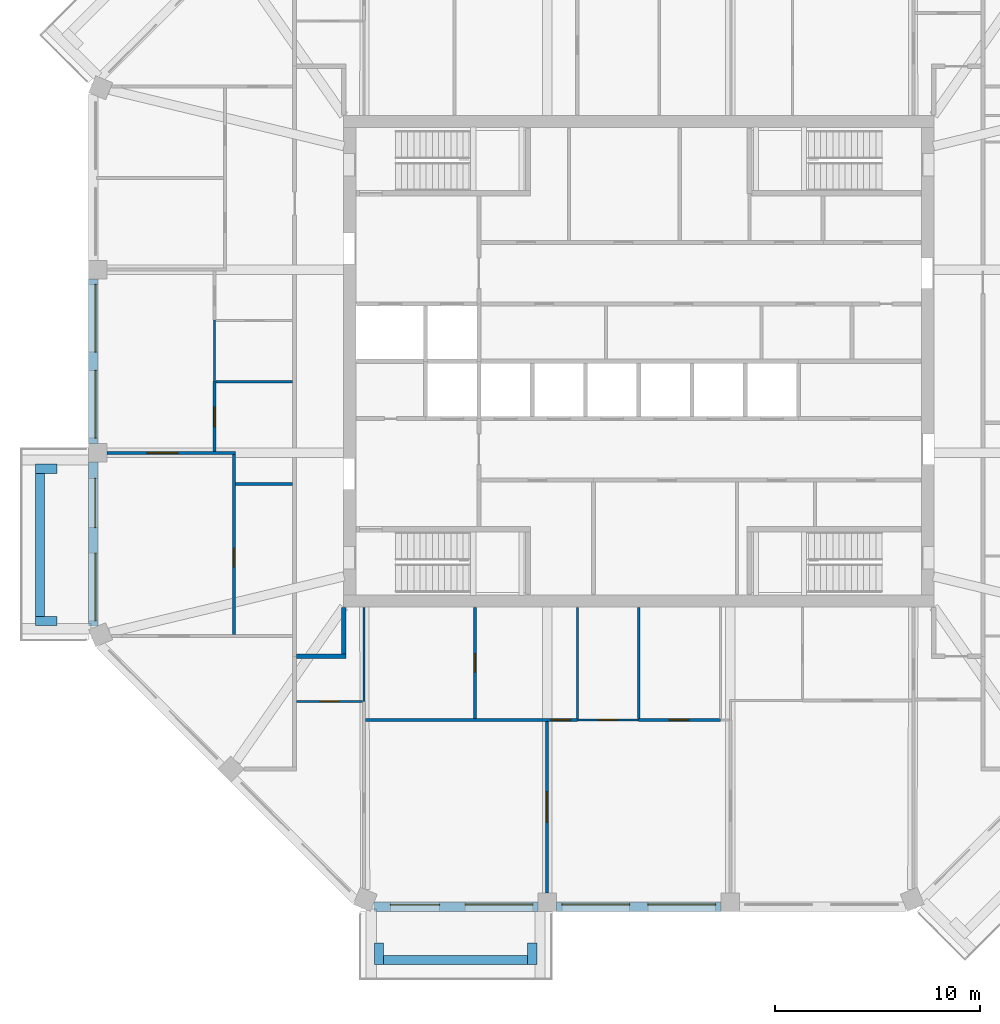
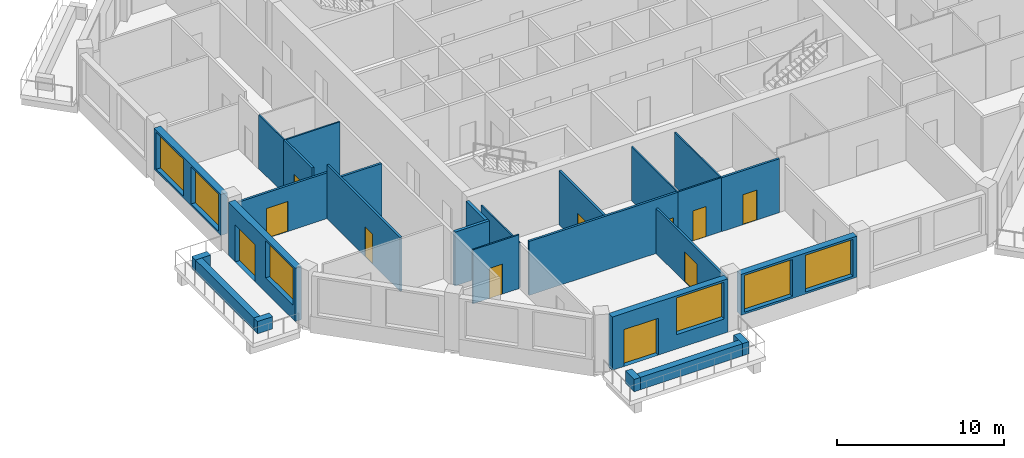
# One storey, part 3 of 11: 27 walls, 11 doors, 6 windows, 17 openings.
"""IFC4 building model written with IfcOpenShell, lengths in metres."""

from ifc_helpers import new_model, si_unit, direction, frame, frame_2d, origin, place, context, subcontext, project, spatial, rectangle, extrude, material, layer, layer_set, type_object, element, fill, save


model = new_model("IFC4")

# Units and contexts
model_context = context("Model", 3, precision=1e-05, world=origin(), true_north=direction((0.0, 1.0)))
body_context = subcontext(model_context, "Body", "Model", "MODEL_VIEW")
ifc_project = project(units=[si_unit("LENGTHUNIT", "METRE"), si_unit("AREAUNIT", "SQUARE_METRE"), si_unit("VOLUMEUNIT", "CUBIC_METRE"), si_unit("PLANEANGLEUNIT", "RADIAN"), si_unit("MASSUNIT", "GRAM", prefix="KILO")], contexts=[model_context])

# Site, building, storey
site_placement = place(None, origin())
site = spatial("IfcSite", under=ifc_project, at=site_placement, CompositionType="ELEMENT")
building_placement = place(site_placement, origin())
building = spatial("IfcBuilding", under=site, at=building_placement, Name="Msitu Wima Residences", CompositionType="ELEMENT")
storey_placement = place(building_placement, frame((0.0, 0.0, 297.89990234375)))
storey = spatial("IfcBuildingStorey", under=building, at=storey_placement, Name="L69", CompositionType="ELEMENT", Elevation=297.89990234375)

# Walls
ifc_material_1 = material(Name="Facing brick")
ifc_layer_1 = layer(ifc_material_1, 0.06494140625, Name="Facing brick")
ifc_material_2 = material(Name="Concrete C40/50", Category="concrete")
ifc_layer_2 = layer(ifc_material_2, 0.156005859375, Name="Concrete C40/50")
ifc_material_3 = material(Name="Waterproofing membrane")
ifc_layer_3 = layer(ifc_material_3, 0.00390625, Name="Waterproofing membrane")
ifc_material_4 = material(Name="Planting soil and planting")
ifc_layer_4 = layer(ifc_material_4, 0.22509765625, Name="Planting soil and planting")
ifc_layer_set_1 = layer_set([ifc_layer_1, ifc_layer_2, ifc_layer_3, ifc_layer_4], Name="Concrete C40/50")
wall_type_1 = type_object("IfcWallType", Name="Balcony planter PLANTER PL450", PredefinedType="USERDEFINED", material=ifc_layer_set_1)
wall_1_placement = place(storey_placement, frame((-29.22509765625, -5.468505859375, 0.0), z_axis=(0.0, 0.0, 1.0), x_axis=(0.0, -1.0, 0.0)))
element("IfcWall", 1, at=wall_1_placement, inside=storey, type_object=wall_type_1, Name="Balcony planter W2 L69", ObjectType="PLANTER", PredefinedType="USERDEFINED", context=body_context, shape_type="SweptSolid", body=[
    extrude(rectangle(XDim=6.9873046875, YDim=0.449951171875, at=frame_2d((3.49365234375, 0.0))), origin(), (0.0, 0.0, 1.0), 0.900146484375),
])
for number, where, z_axis, x_axis, name in (
    (2, (-28.39990234375, -5.24365234375, 0.0), (0.0, 0.0, 1.0), (-1.0, 0.0, 0.0), "Balcony planter W2 L69"),
    (3, (-28.39990234375, -12.680908203125, 0.0), (0.0, 0.0, 1.0), (-1.0, 0.0, 0.0), "Balcony planter W2 L69"),
):
    element("IfcWall", number, at=place(storey_placement, frame(where, z_axis=z_axis, x_axis=x_axis)), inside=storey, type_object=wall_type_1, Name=name, ObjectType="PLANTER", PredefinedType="USERDEFINED", context=body_context, shape_type="SweptSolid", body=[
        extrude(rectangle(XDim=1.050048828125, YDim=0.449951171875, at=frame_2d((0.52490234375, 0.0))), origin(), (0.0, 0.0, 1.0), 0.900146484375),
    ])
wall_2_placement = place(storey_placement, frame((-12.455810546875, -29.22509765625, 0.0), z_axis=(0.0, 0.0, 1.0), x_axis=(1.0, 0.0, 0.0)))
element("IfcWall", 4, at=wall_2_placement, inside=storey, type_object=wall_type_1, Name="Balcony planter S0 L69", ObjectType="PLANTER", PredefinedType="USERDEFINED", context=body_context, shape_type="SweptSolid", body=[
    extrude(rectangle(XDim=7.037109375, YDim=0.449951171875, at=frame_2d((3.5185546875, 0.0))), origin(), (0.0, 0.0, 1.0), 0.900146484375),
])
for number, where, z_axis, x_axis, name in (
    (5, (-12.680908203125, -28.39990234375, 0.0), (0.0, 0.0, 1.0), (0.0, -1.0, 0.0), "Balcony planter S0 L69"),
    (6, (-5.193603515625, -28.39990234375, 0.0), (0.0, 0.0, 1.0), (0.0, -1.0, 0.0), "Balcony planter S0 L69"),
):
    element("IfcWall", number, at=place(storey_placement, frame(where, z_axis=z_axis, x_axis=x_axis)), inside=storey, type_object=wall_type_1, Name=name, ObjectType="PLANTER", PredefinedType="USERDEFINED", context=body_context, shape_type="SweptSolid", body=[
        extrude(rectangle(XDim=1.050048828125, YDim=0.449951171875, at=frame_2d((0.52490234375, 0.0))), origin(), (0.0, 0.0, 1.0), 0.900146484375),
    ])

# Wall, openings, windows
ifc_material_5 = material(Name="Brick (red buff mix)", Category="masonry")
ifc_layer_5 = layer(ifc_material_5, 0.449951171875)
ifc_layer_set_2 = layer_set([ifc_layer_5], Name="Brick (red buff mix)")
wall_type_2 = type_object("IfcWallType", Name="Brick infill wall BW450", PredefinedType="SOLIDWALL", material=ifc_layer_set_2)
wall_3_placement = place(storey_placement, frame((-26.625, 4.0185546875, 0.900146484375), z_axis=(0.0, 0.0, 1.0), x_axis=(0.0, -1.0, 0.0)))
wall_3 = element("IfcWall", 7, at=wall_3_placement, inside=storey, type_object=wall_type_2, Name="Brick infill wall L69 W1", PredefinedType="SOLIDWALL", context=body_context, shape_type="SweptSolid", body=[
    extrude(rectangle(XDim=8.037109375, YDim=0.449951171875, at=frame_2d((4.0185546875, 0.0))), origin(), (0.0, 0.0, 1.0), 3.0),
])
opening_1_placement = place(wall_3_placement, frame((0.2685546875, 0.0, 0.14990234375)))
opening_1 = element("IfcOpeningElement", 8, at=opening_1_placement, cuts=wall_3, Name="Opening W68-70.031", PredefinedType="OPENING", context=body_context, shape_type="SweptSolid", body=[
    extrude(rectangle(XDim=3.300048828125, YDim=2.699951171875, at=frame_2d((1.64990234375, 1.35009765625))), frame((0.0, 0.23486328125, 0.0), z_axis=(0.0, -1.0, 0.0), x_axis=(1.0, 0.0, 0.0)), (0.0, 0.0, 1.0), 0.469970703125),
])
opening_2_placement = place(wall_3_placement, frame((4.46875, 0.0, 0.14990234375)))
opening_2 = element("IfcOpeningElement", 9, at=opening_2_placement, cuts=wall_3, Name="Opening W68-70.032", PredefinedType="OPENING", context=body_context, shape_type="SweptSolid", body=[
    extrude(rectangle(XDim=3.300048828125, YDim=2.699951171875, at=frame_2d((1.64990234375, 1.35009765625))), frame((0.0, 0.23486328125, 0.0), z_axis=(0.0, -1.0, 0.0), x_axis=(1.0, 0.0, 0.0)), (0.0, 0.0, 1.0), 0.469970703125),
])
ifc_material_6 = material(Name="Anodised aluminium, bronze finish, clear low-emissivity double glazing", Category="aluminium")
window_type = type_object("IfcWindowType", Name="Window W3300x2700", PartitioningType="DOUBLE_PANEL_VERTICAL", PredefinedType="WINDOW", material=ifc_material_6)
window_1_placement = place(opening_1_placement, origin())
window_1 = element("IfcWindow", 10, at=window_1_placement, inside=storey, type_object=window_type, Name="Window L69 W1.1", OverallHeight=2.699951171875, OverallWidth=3.300048828125, PartitioningType="SINGLE_PANEL", PredefinedType="WINDOW", context=body_context, shape_type="SweptSolid", body=[
    extrude(rectangle(XDim=3.300048828125, YDim=2.699951171875, at=frame_2d((1.64990234375, 1.35009765625))), frame((0.0, 0.135009765625, 0.0), z_axis=(0.0, -1.0, 0.0), x_axis=(1.0, 0.0, 0.0)), (0.0, 0.0, 1.0), 0.06005859375),
])
fill(opening_1, window_1)
window_2_placement = place(opening_2_placement, origin())
window_2 = element("IfcWindow", 11, at=window_2_placement, inside=storey, type_object=window_type, Name="Window L69 W1.2", OverallHeight=2.699951171875, OverallWidth=3.300048828125, PartitioningType="SINGLE_PANEL", PredefinedType="WINDOW", context=body_context, shape_type="SweptSolid", body=[
    extrude(rectangle(XDim=3.300048828125, YDim=2.699951171875, at=frame_2d((1.64990234375, 1.35009765625))), frame((0.0, 0.135009765625, 0.0), z_axis=(0.0, -1.0, 0.0), x_axis=(1.0, 0.0, 0.0)), (0.0, 0.0, 1.0), 0.06005859375),
])
fill(opening_2, window_2)

# Wall, openings, door, window
wall_4_placement = place(storey_placement, frame((-26.625, -4.918701171875, 0.0), z_axis=(0.0, 0.0, 1.0), x_axis=(0.0, -1.0, 0.0)))
wall_4 = element("IfcWall", 12, at=wall_4_placement, inside=storey, type_object=wall_type_2, Name="Brick infill wall L69 W2", PredefinedType="SOLIDWALL", context=body_context, shape_type="SweptSolid", body=[
    extrude(rectangle(XDim=8.0, YDim=0.449951171875, at=frame_2d((4.0, 0.0))), origin(), (0.0, 0.0, 1.0), 3.900146484375),
])
opening_3_placement = place(wall_4_placement, frame((0.800048828125, 0.0, 0.0)))
opening_3 = element("IfcOpeningElement", 13, at=opening_3_placement, cuts=wall_4, Name="Opening D68-70.007", PredefinedType="OPENING", context=body_context, shape_type="SweptSolid", body=[
    extrude(rectangle(XDim=2.39990234375, YDim=2.699951171875, at=frame_2d((1.199951171875, 1.35009765625))), frame((0.0, 0.23486328125, 0.0), z_axis=(0.0, -1.0, 0.0), x_axis=(1.0, 0.0, 0.0)), (0.0, 0.0, 1.0), 0.469970703125),
])
opening_4_placement = place(wall_4_placement, frame((4.4501953125, 0.0, 1.050048828125)))
opening_4 = element("IfcOpeningElement", 14, at=opening_4_placement, cuts=wall_4, Name="Opening W68-70.033", PredefinedType="OPENING", context=body_context, shape_type="SweptSolid", body=[
    extrude(rectangle(XDim=3.300048828125, YDim=2.699951171875, at=frame_2d((1.64990234375, 1.35009765625))), frame((0.0, 0.23486328125, 0.0), z_axis=(0.0, -1.0, 0.0), x_axis=(1.0, 0.0, 0.0)), (0.0, 0.0, 1.0), 0.469970703125),
])
door_type_1 = type_object("IfcDoorType", Name="Balcony door D2400x2700", OperationType="SLIDING_TO_LEFT", PredefinedType="DOOR", material=ifc_material_6)
door_1_placement = place(opening_3_placement, origin())
door_1 = element("IfcDoor", 15, at=door_1_placement, inside=storey, type_object=door_type_1, Name="Balcony door L69 W2", OperationType="SINGLE_SWING_LEFT", OverallHeight=2.699951171875, OverallWidth=2.39990234375, PredefinedType="DOOR", context=body_context, shape_type="SweptSolid", body=[
    extrude(rectangle(XDim=2.39990234375, YDim=2.699951171875, at=frame_2d((1.199951171875, 1.35009765625))), frame((0.0, 0.1298828125, 0.0), z_axis=(0.0, -1.0, 0.0), x_axis=(1.0, 0.0, 0.0)), (0.0, 0.0, 1.0), 0.050048828125),
])
fill(opening_3, door_1)
window_3_placement = place(opening_4_placement, origin())
window_3 = element("IfcWindow", 16, at=window_3_placement, inside=storey, type_object=window_type, Name="Window L69 W2.2", OverallHeight=2.699951171875, OverallWidth=3.300048828125, PartitioningType="SINGLE_PANEL", PredefinedType="WINDOW", context=body_context, shape_type="SweptSolid", body=[
    extrude(rectangle(XDim=3.300048828125, YDim=2.699951171875, at=frame_2d((1.64990234375, 1.35009765625))), frame((0.0, 0.135009765625, 0.0), z_axis=(0.0, -1.0, 0.0), x_axis=(1.0, 0.0, 0.0)), (0.0, 0.0, 1.0), 0.06005859375),
])
fill(opening_4, window_3)

wall_5_placement = place(storey_placement, frame((-12.918701171875, -26.625, 0.0), z_axis=(0.0, 0.0, 1.0), x_axis=(1.0, 0.0, 0.0)))
wall_5 = element("IfcWall", 17, at=wall_5_placement, inside=storey, type_object=wall_type_2, Name="Brick infill wall L69 S0", PredefinedType="SOLIDWALL", context=body_context, shape_type="SweptSolid", body=[
    extrude(rectangle(XDim=8.0, YDim=0.449951171875, at=frame_2d((4.0, 0.0))), origin(), (0.0, 0.0, 1.0), 3.900146484375),
])
opening_5_placement = place(wall_5_placement, frame((0.800048828125, 0.0, 0.0)))
opening_5 = element("IfcOpeningElement", 18, at=opening_5_placement, cuts=wall_5, Name="Opening D68-70.005", PredefinedType="OPENING", context=body_context, shape_type="SweptSolid", body=[
    extrude(rectangle(XDim=2.39990234375, YDim=2.699951171875, at=frame_2d((1.199951171875, 1.35009765625))), frame((0.0, 0.23486328125, 0.0), z_axis=(0.0, -1.0, 0.0), x_axis=(1.0, 0.0, 0.0)), (0.0, 0.0, 1.0), 0.469970703125),
])
opening_6_placement = place(wall_5_placement, frame((4.4501953125, 0.0, 1.050048828125)))
opening_6 = element("IfcOpeningElement", 19, at=opening_6_placement, cuts=wall_5, Name="Opening W68-70.017", PredefinedType="OPENING", context=body_context, shape_type="SweptSolid", body=[
    extrude(rectangle(XDim=3.300048828125, YDim=2.699951171875, at=frame_2d((1.64990234375, 1.35009765625))), frame((0.0, 0.23486328125, 0.0), z_axis=(0.0, -1.0, 0.0), x_axis=(1.0, 0.0, 0.0)), (0.0, 0.0, 1.0), 0.469970703125),
])
door_2_placement = place(opening_5_placement, origin())
door_2 = element("IfcDoor", 20, at=door_2_placement, inside=storey, type_object=door_type_1, Name="Balcony door L69 S0", OperationType="SINGLE_SWING_LEFT", OverallHeight=2.699951171875, OverallWidth=2.39990234375, PredefinedType="DOOR", context=body_context, shape_type="SweptSolid", body=[
    extrude(rectangle(XDim=2.39990234375, YDim=2.699951171875, at=frame_2d((1.199951171875, 1.35009765625))), frame((0.0, 0.1298828125, 0.0), z_axis=(0.0, -1.0, 0.0), x_axis=(1.0, 0.0, 0.0)), (0.0, 0.0, 1.0), 0.050048828125),
])
fill(opening_5, door_2)
window_4_placement = place(opening_6_placement, origin())
window_4 = element("IfcWindow", 21, at=window_4_placement, inside=storey, type_object=window_type, Name="Window L69 S0.2", OverallHeight=2.699951171875, OverallWidth=3.300048828125, PartitioningType="SINGLE_PANEL", PredefinedType="WINDOW", context=body_context, shape_type="SweptSolid", body=[
    extrude(rectangle(XDim=3.300048828125, YDim=2.699951171875, at=frame_2d((1.64990234375, 1.35009765625))), frame((0.0, 0.135009765625, 0.0), z_axis=(0.0, -1.0, 0.0), x_axis=(1.0, 0.0, 0.0)), (0.0, 0.0, 1.0), 0.06005859375),
])
fill(opening_6, window_4)

# Wall, openings, windows
wall_6_placement = place(storey_placement, frame((-4.0185546875, -26.625, 0.900146484375), z_axis=(0.0, 0.0, 1.0), x_axis=(1.0, 0.0, 0.0)))
wall_6 = element("IfcWall", 22, at=wall_6_placement, inside=storey, type_object=wall_type_2, Name="Brick infill wall L69 S1", PredefinedType="SOLIDWALL", context=body_context, shape_type="SweptSolid", body=[
    extrude(rectangle(XDim=8.037109375, YDim=0.449951171875, at=frame_2d((4.0185546875, 0.0))), origin(), (0.0, 0.0, 1.0), 3.0),
])
opening_7_placement = place(wall_6_placement, frame((0.2685546875, 0.0, 0.14990234375)))
opening_7 = element("IfcOpeningElement", 23, at=opening_7_placement, cuts=wall_6, Name="Opening W68-70.018", PredefinedType="OPENING", context=body_context, shape_type="SweptSolid", body=[
    extrude(rectangle(XDim=3.300048828125, YDim=2.699951171875, at=frame_2d((1.64990234375, 1.35009765625))), frame((0.0, 0.23486328125, 0.0), z_axis=(0.0, -1.0, 0.0), x_axis=(1.0, 0.0, 0.0)), (0.0, 0.0, 1.0), 0.469970703125),
])
opening_8_placement = place(wall_6_placement, frame((4.46875, 0.0, 0.14990234375)))
opening_8 = element("IfcOpeningElement", 24, at=opening_8_placement, cuts=wall_6, Name="Opening W68-70.019", PredefinedType="OPENING", context=body_context, shape_type="SweptSolid", body=[
    extrude(rectangle(XDim=3.300048828125, YDim=2.699951171875, at=frame_2d((1.64990234375, 1.35009765625))), frame((0.0, 0.23486328125, 0.0), z_axis=(0.0, -1.0, 0.0), x_axis=(1.0, 0.0, 0.0)), (0.0, 0.0, 1.0), 0.469970703125),
])
window_5_placement = place(opening_7_placement, origin())
window_5 = element("IfcWindow", 25, at=window_5_placement, inside=storey, type_object=window_type, Name="Window L69 S1.1", OverallHeight=2.699951171875, OverallWidth=3.300048828125, PartitioningType="SINGLE_PANEL", PredefinedType="WINDOW", context=body_context, shape_type="SweptSolid", body=[
    extrude(rectangle(XDim=3.300048828125, YDim=2.699951171875, at=frame_2d((1.64990234375, 1.35009765625))), frame((0.0, 0.135009765625, 0.0), z_axis=(0.0, -1.0, 0.0), x_axis=(1.0, 0.0, 0.0)), (0.0, 0.0, 1.0), 0.06005859375),
])
fill(opening_7, window_5)
window_6_placement = place(opening_8_placement, origin())
window_6 = element("IfcWindow", 26, at=window_6_placement, inside=storey, type_object=window_type, Name="Window L69 S1.2", OverallHeight=2.699951171875, OverallWidth=3.300048828125, PartitioningType="SINGLE_PANEL", PredefinedType="WINDOW", context=body_context, shape_type="SweptSolid", body=[
    extrude(rectangle(XDim=3.300048828125, YDim=2.699951171875, at=frame_2d((1.64990234375, 1.35009765625))), frame((0.0, 0.135009765625, 0.0), z_axis=(0.0, -1.0, 0.0), x_axis=(1.0, 0.0, 0.0)), (0.0, 0.0, 1.0), 0.06005859375),
])
fill(opening_8, window_6)

# Walls
ifc_material_7 = material(Name="Plaster")
ifc_layer_6 = layer(ifc_material_7, 0.011962890625, Name="Plaster")
ifc_material_8 = material(Name="Concrete blockwork", Category="masonry")
ifc_layer_7 = layer(ifc_material_8, 0.176025390625, Name="Concrete blockwork")
ifc_layer_8 = layer(ifc_material_7, 0.011962890625, Name="Plaster")
ifc_layer_set_3 = layer_set([ifc_layer_6, ifc_layer_7, ifc_layer_8], Name="Concrete blockwork")
wall_type_3 = type_object("IfcWallType", Name="Corridor wall FW200", PredefinedType="PARTITIONING", material=ifc_layer_set_3)
wall_7_placement = place(storey_placement, frame((-16.699951171875, -14.39990234375, 0.0), z_axis=(0.0, 0.0, 1.0), x_axis=(1.0, 0.0, 0.0)))
element("IfcWall", 27, at=wall_7_placement, inside=storey, type_object=wall_type_3, Name="Corridor wall", PredefinedType="PARTITIONING", context=body_context, shape_type="SweptSolid", body=[
    extrude(rectangle(XDim=2.39990234375, YDim=0.199951171875, at=frame_2d((1.199951171875, 0.0))), origin(), (0.0, 0.0, 1.0), 3.9501953125),
])
wall_8_placement = place(storey_placement, frame((-14.39990234375, -14.300048828125, 0.0), z_axis=(0.0, 0.0, 1.0), x_axis=(0.0, 1.0, 0.0)))
element("IfcWall", 28, at=wall_8_placement, inside=storey, type_object=wall_type_3, Name="Corridor wall", PredefinedType="PARTITIONING", context=body_context, shape_type="SweptSolid", body=[
    extrude(rectangle(XDim=2.27001953125, YDim=0.199951171875, at=frame_2d((1.135009765625, 0.0))), origin(), (0.0, 0.0, 1.0), 3.9501953125),
])

# Wall, opening, door
ifc_layer_9 = layer(ifc_material_7, 0.011962890625, Name="Plaster")
ifc_layer_10 = layer(ifc_material_8, 0.1259765625, Name="Concrete blockwork")
ifc_layer_11 = layer(ifc_material_7, 0.011962890625, Name="Plaster")
ifc_layer_set_4 = layer_set([ifc_layer_9, ifc_layer_10, ifc_layer_11], Name="Concrete blockwork")
wall_type_4 = type_object("IfcWallType", Name="Partition PW150", PredefinedType="PARTITIONING", material=ifc_layer_set_4)
wall_9_placement = place(storey_placement, frame((-25.949951171875, -4.46875, 0.0), z_axis=(0.0, 0.0, 1.0), x_axis=(1.0, 0.0, 0.0)))
wall_9 = element("IfcWall", 29, at=wall_9_placement, inside=storey, type_object=wall_type_4, Name="Partition", PredefinedType="PARTITIONING", context=body_context, shape_type="SweptSolid", body=[
    extrude(rectangle(XDim=6.27490234375, YDim=0.14990234375, at=frame_2d((3.137451171875, 0.0))), origin(), (0.0, 0.0, 1.0), 3.35009765625),
])
opening_9_placement = place(wall_9_placement, frame((1.949951171875, 0.0, 0.0)))
opening_9 = element("IfcOpeningElement", 30, at=opening_9_placement, cuts=wall_9, Name="Opening D68-70.040", PredefinedType="OPENING", context=body_context, shape_type="SweptSolid", body=[
    extrude(rectangle(XDim=1.5, YDim=2.199951171875, at=frame_2d((0.75, 1.10009765625))), frame((0.0, 0.0849609375, 0.0), z_axis=(0.0, -1.0, 0.0), x_axis=(1.0, 0.0, 0.0)), (0.0, 0.0, 1.0), 0.169921875),
])
ifc_material_9 = material(Name="Timber double door", Category="wood")
door_type_2 = type_object("IfcDoorType", Name="Double door D04 1500x2200", OperationType="DOUBLE_DOOR_SINGLE_SWING", PredefinedType="DOOR", material=ifc_material_9)
door_3_placement = place(opening_9_placement, origin())
door_3 = element("IfcDoor", 31, at=door_3_placement, inside=storey, type_object=door_type_2, Name="Double door", OperationType="DOUBLE_DOOR_SINGLE_SWING", OverallHeight=2.199951171875, OverallWidth=1.5, PredefinedType="DOOR", context=body_context, shape_type="SweptSolid", body=[
    extrude(rectangle(XDim=1.5, YDim=2.199951171875, at=frame_2d((0.75, 1.10009765625))), frame((0.0, 0.02490234375, 0.0), z_axis=(0.0, -1.0, 0.0), x_axis=(1.0, 0.0, 0.0)), (0.0, 0.0, 1.0), 0.050048828125),
])
fill(opening_9, door_3)

wall_10_placement = place(storey_placement, frame((-20.699951171875, -4.3935546875, 0.0), z_axis=(0.0, 0.0, 1.0), x_axis=(0.0, 1.0, 0.0)))
wall_10 = element("IfcWall", 32, at=wall_10_placement, inside=storey, type_object=wall_type_4, Name="Partition", PredefinedType="PARTITIONING", context=body_context, shape_type="SweptSolid", body=[
    extrude(rectangle(XDim=3.3935546875, YDim=0.14990234375, at=frame_2d((1.69677734375, 0.0))), origin(), (0.0, 0.0, 1.0), 3.9501953125),
])
opening_10_placement = place(wall_10_placement, frame((1.199951171875, 0.0, 0.0)))
opening_10 = element("IfcOpeningElement", 33, at=opening_10_placement, cuts=wall_10, Name="Opening D68-70.042", PredefinedType="OPENING", context=body_context, shape_type="SweptSolid", body=[
    extrude(rectangle(XDim=0.949951171875, YDim=2.199951171875, at=frame_2d((0.47509765625, 1.10009765625))), frame((0.0, 0.0849609375, 0.0), z_axis=(0.0, -1.0, 0.0), x_axis=(1.0, 0.0, 0.0)), (0.0, 0.0, 1.0), 0.169921875),
])
ifc_material_10 = material(Name="Timber flush door", Category="wood")
door_type_3 = type_object("IfcDoorType", Name="Room door D12 950x2200", OperationType="SINGLE_SWING_LEFT", PredefinedType="DOOR", material=ifc_material_10)
door_4_placement = place(opening_10_placement, origin())
door_4 = element("IfcDoor", 34, at=door_4_placement, inside=storey, type_object=door_type_3, Name="Room door", OperationType="SINGLE_SWING_LEFT", OverallHeight=2.199951171875, OverallWidth=0.949951171875, PredefinedType="DOOR", context=body_context, shape_type="SweptSolid", body=[
    extrude(rectangle(XDim=0.949951171875, YDim=2.199951171875, at=frame_2d((0.47509765625, 1.10009765625))), frame((0.0, 0.02490234375, 0.0), z_axis=(0.0, -1.0, 0.0), x_axis=(1.0, 0.0, 0.0)), (0.0, 0.0, 1.0), 0.050048828125),
])
fill(opening_10, door_4)

wall_11_placement = place(storey_placement, frame((-19.75, -13.330810546875, 0.0), z_axis=(0.0, 0.0, 1.0), x_axis=(0.0, 1.0, 0.0)))
wall_11 = element("IfcWall", 35, at=wall_11_placement, inside=storey, type_object=wall_type_4, Name="Partition", PredefinedType="PARTITIONING", context=body_context, shape_type="SweptSolid", body=[
    extrude(rectangle(XDim=8.787109375, YDim=0.14990234375, at=frame_2d((4.3935546875, 0.0))), origin(), (0.0, 0.0, 1.0), 3.9501953125),
])
opening_11_placement = place(wall_11_placement, frame((3.300048828125, 0.0, 0.0)))
opening_11 = element("IfcOpeningElement", 36, at=opening_11_placement, cuts=wall_11, Name="Opening D68-70.043", PredefinedType="OPENING", context=body_context, shape_type="SweptSolid", body=[
    extrude(rectangle(XDim=0.89990234375, YDim=2.199951171875, at=frame_2d((0.449951171875, 1.10009765625))), frame((0.0, 0.0849609375, 0.0), z_axis=(0.0, -1.0, 0.0), x_axis=(1.0, 0.0, 0.0)), (0.0, 0.0, 1.0), 0.169921875),
])
door_type_4 = type_object("IfcDoorType", Name="Service door D05 900x2200", OperationType="SINGLE_SWING_LEFT", PredefinedType="DOOR", material=ifc_material_10)
door_5_placement = place(opening_11_placement, origin())
door_5 = element("IfcDoor", 37, at=door_5_placement, inside=storey, type_object=door_type_4, Name="Service door", OperationType="SINGLE_SWING_RIGHT", OverallHeight=2.199951171875, OverallWidth=0.89990234375, PredefinedType="DOOR", context=body_context, shape_type="SweptSolid", body=[
    extrude(rectangle(XDim=0.89990234375, YDim=2.199951171875, at=frame_2d((0.449951171875, 1.10009765625))), frame((0.0, 0.02490234375, 0.0), z_axis=(0.0, -1.0, 0.0), x_axis=(1.0, 0.0, 0.0)), (0.0, 0.0, 1.0), 0.050048828125),
])
fill(opening_11, door_5)

# Wall
wall_12_placement = place(storey_placement, frame((-19.675048828125, -6.0, 0.0), z_axis=(0.0, 0.0, 1.0), x_axis=(1.0, 0.0, 0.0)))
element("IfcWall", 38, at=wall_12_placement, inside=storey, type_object=wall_type_4, Name="Partition", PredefinedType="PARTITIONING", context=body_context, shape_type="SweptSolid", body=[
    extrude(rectangle(XDim=2.775146484375, YDim=0.14990234375, at=frame_2d((1.3876953125, 0.0))), origin(), (0.0, 0.0, 1.0), 3.9501953125),
])

# Wall, opening, door
wall_13_placement = place(storey_placement, frame((-13.330810546875, -17.5, 0.0), z_axis=(0.0, 0.0, 1.0), x_axis=(1.0, 0.0, 0.0)))
wall_13 = element("IfcWall", 39, at=wall_13_placement, inside=storey, type_object=wall_type_4, Name="Partition", PredefinedType="PARTITIONING", context=body_context, shape_type="SweptSolid", body=[
    extrude(rectangle(XDim=10.330810546875, YDim=0.14990234375, at=frame_2d((5.16552734375, 0.0))), origin(), (0.0, 0.0, 1.0), 3.9501953125),
])
opening_12_placement = place(wall_13_placement, frame((9.050048828125, 0.0, 0.0)))
opening_12 = element("IfcOpeningElement", 40, at=opening_12_placement, cuts=wall_13, Name="Opening D68-70.053", PredefinedType="OPENING", context=body_context, shape_type="SweptSolid", body=[
    extrude(rectangle(XDim=0.949951171875, YDim=2.199951171875, at=frame_2d((0.47509765625, 1.10009765625))), frame((0.0, 0.0849609375, 0.0), z_axis=(0.0, -1.0, 0.0), x_axis=(1.0, 0.0, 0.0)), (0.0, 0.0, 1.0), 0.169921875),
])
door_6_placement = place(opening_12_placement, origin())
door_6 = element("IfcDoor", 41, at=door_6_placement, inside=storey, type_object=door_type_3, Name="Room door", OperationType="SINGLE_SWING_RIGHT", OverallHeight=2.199951171875, OverallWidth=0.949951171875, PredefinedType="DOOR", context=body_context, shape_type="SweptSolid", body=[
    extrude(rectangle(XDim=0.949951171875, YDim=2.199951171875, at=frame_2d((0.47509765625, 1.10009765625))), frame((0.0, 0.02490234375, 0.0), z_axis=(0.0, -1.0, 0.0), x_axis=(1.0, 0.0, 0.0)), (0.0, 0.0, 1.0), 0.050048828125),
])
fill(opening_12, door_6)

wall_14_placement = place(storey_placement, frame((-8.0, -17.425048828125, 0.0), z_axis=(0.0, 0.0, 1.0), x_axis=(0.0, 1.0, 0.0)))
wall_14 = element("IfcWall", 42, at=wall_14_placement, inside=storey, type_object=wall_type_4, Name="Partition", PredefinedType="PARTITIONING", context=body_context, shape_type="SweptSolid", body=[
    extrude(rectangle(XDim=5.39501953125, YDim=0.14990234375, at=frame_2d((2.697509765625, 0.0))), origin(), (0.0, 0.0, 1.0), 3.9501953125),
])
opening_13_placement = place(wall_14_placement, frame((2.25, 0.0, 0.0)))
opening_13 = element("IfcOpeningElement", 43, at=opening_13_placement, cuts=wall_14, Name="Opening D68-70.047", PredefinedType="OPENING", context=body_context, shape_type="SweptSolid", body=[
    extrude(rectangle(XDim=0.89990234375, YDim=2.199951171875, at=frame_2d((0.449951171875, 1.10009765625))), frame((0.0, 0.0849609375, 0.0), z_axis=(0.0, -1.0, 0.0), x_axis=(1.0, 0.0, 0.0)), (0.0, 0.0, 1.0), 0.169921875),
])
door_7_placement = place(opening_13_placement, origin())
door_7 = element("IfcDoor", 44, at=door_7_placement, inside=storey, type_object=door_type_4, Name="Service door", OperationType="SINGLE_SWING_LEFT", OverallHeight=2.199951171875, OverallWidth=0.89990234375, PredefinedType="DOOR", context=body_context, shape_type="SweptSolid", body=[
    extrude(rectangle(XDim=0.89990234375, YDim=2.199951171875, at=frame_2d((0.449951171875, 1.10009765625))), frame((0.0, 0.02490234375, 0.0), z_axis=(0.0, -1.0, 0.0), x_axis=(1.0, 0.0, 0.0)), (0.0, 0.0, 1.0), 0.050048828125),
])
fill(opening_13, door_7)

wall_15_placement = place(storey_placement, frame((-4.46875, -25.949951171875, 0.0), z_axis=(0.0, 0.0, 1.0), x_axis=(0.0, 1.0, 0.0)))
wall_15 = element("IfcWall", 45, at=wall_15_placement, inside=storey, type_object=wall_type_4, Name="Partition", PredefinedType="PARTITIONING", context=body_context, shape_type="SweptSolid", body=[
    extrude(rectangle(XDim=8.375, YDim=0.14990234375, at=frame_2d((4.1875, 0.0))), origin(), (0.0, 0.0, 1.0), 3.300048828125),
])
opening_14_placement = place(wall_15_placement, frame((3.449951171875, 0.0, 0.0)))
opening_14 = element("IfcOpeningElement", 46, at=opening_14_placement, cuts=wall_15, Name="Opening D68-70.056", PredefinedType="OPENING", context=body_context, shape_type="SweptSolid", body=[
    extrude(rectangle(XDim=1.5, YDim=2.199951171875, at=frame_2d((0.75, 1.10009765625))), frame((0.0, 0.0849609375, 0.0), z_axis=(0.0, -1.0, 0.0), x_axis=(1.0, 0.0, 0.0)), (0.0, 0.0, 1.0), 0.169921875),
])
door_8_placement = place(opening_14_placement, origin())
door_8 = element("IfcDoor", 47, at=door_8_placement, inside=storey, type_object=door_type_2, Name="Double door", OperationType="DOUBLE_DOOR_SINGLE_SWING", OverallHeight=2.199951171875, OverallWidth=1.5, PredefinedType="DOOR", context=body_context, shape_type="SweptSolid", body=[
    extrude(rectangle(XDim=1.5, YDim=2.199951171875, at=frame_2d((0.75, 1.10009765625))), frame((0.0, 0.02490234375, 0.0), z_axis=(0.0, -1.0, 0.0), x_axis=(1.0, 0.0, 0.0)), (0.0, 0.0, 1.0), 0.050048828125),
])
fill(opening_14, door_8)

wall_16_placement = place(storey_placement, frame((0.0, -17.5, 0.0), z_axis=(0.0, 0.0, 1.0), x_axis=(1.0, 0.0, 0.0)))
wall_16 = element("IfcWall", 48, at=wall_16_placement, inside=storey, type_object=wall_type_4, Name="Partition", PredefinedType="PARTITIONING", context=body_context, shape_type="SweptSolid", body=[
    extrude(rectangle(XDim=4.0, YDim=0.14990234375, at=frame_2d((2.0, 0.0))), origin(), (0.0, 0.0, 1.0), 3.9501953125),
])
opening_15_placement = place(wall_16_placement, frame((1.5, 0.0, 0.0)))
opening_15 = element("IfcOpeningElement", 49, at=opening_15_placement, cuts=wall_16, Name="Opening D68-70.055", PredefinedType="OPENING", context=body_context, shape_type="SweptSolid", body=[
    extrude(rectangle(XDim=0.949951171875, YDim=2.199951171875, at=frame_2d((0.47509765625, 1.10009765625))), frame((0.0, 0.0849609375, 0.0), z_axis=(0.0, -1.0, 0.0), x_axis=(1.0, 0.0, 0.0)), (0.0, 0.0, 1.0), 0.169921875),
])
door_9_placement = place(opening_15_placement, origin())
door_9 = element("IfcDoor", 50, at=door_9_placement, inside=storey, type_object=door_type_3, Name="Room door", OperationType="SINGLE_SWING_LEFT", OverallHeight=2.199951171875, OverallWidth=0.949951171875, PredefinedType="DOOR", context=body_context, shape_type="SweptSolid", body=[
    extrude(rectangle(XDim=0.949951171875, YDim=2.199951171875, at=frame_2d((0.47509765625, 1.10009765625))), frame((0.0, 0.02490234375, 0.0), z_axis=(0.0, -1.0, 0.0), x_axis=(1.0, 0.0, 0.0)), (0.0, 0.0, 1.0), 0.050048828125),
])
fill(opening_15, door_9)

# Walls
ifc_material_11 = material(Name="Ceramic tiles")
ifc_layer_12 = layer(ifc_material_11, 0.008056640625, Name="Ceramic tiles")
ifc_material_12 = material(Name="Moisture-resistant board")
ifc_layer_13 = layer(ifc_material_12, 0.012451171875, Name="Moisture-resistant board")
ifc_material_13 = material(Name="Light-gauge stud framing with mineral wool")
ifc_layer_14 = layer(ifc_material_13, 0.06689453125, Name="Light-gauge stud framing with mineral wool")
ifc_layer_15 = layer(ifc_material_12, 0.012451171875, Name="Moisture-resistant board")
ifc_layer_set_5 = layer_set([ifc_layer_12, ifc_layer_13, ifc_layer_14, ifc_layer_15], Name="Light-gauge stud framing with mineral wool")
wall_type_5 = type_object("IfcWallType", Name="Wet wall PW100", PredefinedType="PARTITIONING", material=ifc_layer_set_5)
wall_17_placement = place(storey_placement, frame((-20.699951171875, -1.0, 0.0), z_axis=(0.0, 0.0, 1.0), x_axis=(0.0, 1.0, 0.0)))
element("IfcWall", 51, at=wall_17_placement, inside=storey, type_object=wall_type_5, Name="Wet wall", PredefinedType="PARTITIONING", context=body_context, shape_type="SweptSolid", body=[
    extrude(rectangle(XDim=3.02001953125, YDim=0.10009765625, at=frame_2d((1.510009765625, 0.0))), origin(), (0.0, 0.0, 1.0), 3.9501953125),
])
wall_18_placement = place(storey_placement, frame((-20.625, -1.0, 0.0), z_axis=(0.0, 0.0, 1.0), x_axis=(1.0, 0.0, 0.0)))
element("IfcWall", 52, at=wall_18_placement, inside=storey, type_object=wall_type_5, Name="Wet wall", PredefinedType="PARTITIONING", context=body_context, shape_type="SweptSolid", body=[
    extrude(rectangle(XDim=3.72509765625, YDim=0.10009765625, at=frame_2d((1.862548828125, 0.0))), origin(), (0.0, 0.0, 1.0), 3.9501953125),
])

# Wall, opening, door
wall_19_placement = place(storey_placement, frame((-16.699951171875, -16.60009765625, 0.0), z_axis=(0.0, 0.0, 1.0), x_axis=(1.0, 0.0, 0.0)))
wall_19 = element("IfcWall", 53, at=wall_19_placement, inside=storey, type_object=wall_type_5, Name="Wet wall", PredefinedType="PARTITIONING", context=body_context, shape_type="SweptSolid", body=[
    extrude(rectangle(XDim=3.218994140625, YDim=0.10009765625, at=frame_2d((1.609375, 0.0))), origin(), (0.0, 0.0, 1.0), 3.9501953125),
])
opening_16_placement = place(wall_19_placement, frame((1.14990234375, 0.0, 0.0)))
opening_16 = element("IfcOpeningElement", 54, at=opening_16_placement, cuts=wall_19, Name="Opening D68-70.048", PredefinedType="OPENING", context=body_context, shape_type="SweptSolid", body=[
    extrude(rectangle(XDim=0.89990234375, YDim=2.199951171875, at=frame_2d((0.449951171875, 1.10009765625))), frame((0.0, 0.06005859375, 0.0), z_axis=(0.0, -1.0, 0.0), x_axis=(1.0, 0.0, 0.0)), (0.0, 0.0, 1.0), 0.1201171875),
])
ifc_material_14 = material(Name="Timber flush door, moisture resistant", Category="wood")
door_type_5 = type_object("IfcDoorType", Name="Bathroom door D03 900x2200", OperationType="SINGLE_SWING_LEFT", PredefinedType="DOOR", material=ifc_material_14)
door_10_placement = place(opening_16_placement, origin())
door_10 = element("IfcDoor", 55, at=door_10_placement, inside=storey, type_object=door_type_5, Name="Bathroom door", OperationType="SINGLE_SWING_LEFT", OverallHeight=2.199951171875, OverallWidth=0.89990234375, PredefinedType="DOOR", context=body_context, shape_type="SweptSolid", body=[
    extrude(rectangle(XDim=0.89990234375, YDim=2.199951171875, at=frame_2d((0.449951171875, 1.10009765625))), frame((0.0, 0.02490234375, 0.0), z_axis=(0.0, -1.0, 0.0), x_axis=(1.0, 0.0, 0.0)), (0.0, 0.0, 1.0), 0.050048828125),
])
fill(opening_16, door_10)

# Wall
wall_20_placement = place(storey_placement, frame((-13.406005859375, -16.60009765625, 0.0), z_axis=(0.0, 0.0, 1.0), x_axis=(0.0, 1.0, 0.0)))
element("IfcWall", 56, at=wall_20_placement, inside=storey, type_object=wall_type_5, Name="Wet wall", PredefinedType="PARTITIONING", context=body_context, shape_type="SweptSolid", body=[
    extrude(rectangle(XDim=4.570068359375, YDim=0.10009765625, at=frame_2d((2.28515625, 0.0))), origin(), (0.0, 0.0, 1.0), 3.300048828125),
])

# Wall, opening, door
wall_21_placement = place(storey_placement, frame((-3.0, -17.5, 0.0), z_axis=(0.0, 0.0, 1.0), x_axis=(1.0, 0.0, 0.0)))
wall_21 = element("IfcWall", 57, at=wall_21_placement, inside=storey, type_object=wall_type_5, Name="Wet wall", PredefinedType="PARTITIONING", context=body_context, shape_type="SweptSolid", body=[
    extrude(rectangle(XDim=3.0, YDim=0.10009765625, at=frame_2d((1.5, 0.0))), origin(), (0.0, 0.0, 1.0), 3.9501953125),
])
opening_17_placement = place(wall_21_placement, frame((1.050048828125, 0.0, 0.0)))
opening_17 = element("IfcOpeningElement", 58, at=opening_17_placement, cuts=wall_21, Name="Opening D68-70.054", PredefinedType="OPENING", context=body_context, shape_type="SweptSolid", body=[
    extrude(rectangle(XDim=0.89990234375, YDim=2.199951171875, at=frame_2d((0.449951171875, 1.10009765625))), frame((0.0, 0.06005859375, 0.0), z_axis=(0.0, -1.0, 0.0), x_axis=(1.0, 0.0, 0.0)), (0.0, 0.0, 1.0), 0.1201171875),
])
door_11_placement = place(opening_17_placement, origin())
door_11 = element("IfcDoor", 59, at=door_11_placement, inside=storey, type_object=door_type_5, Name="Bathroom door", OperationType="SINGLE_SWING_RIGHT", OverallHeight=2.199951171875, OverallWidth=0.89990234375, PredefinedType="DOOR", context=body_context, shape_type="SweptSolid", body=[
    extrude(rectangle(XDim=0.89990234375, YDim=2.199951171875, at=frame_2d((0.449951171875, 1.10009765625))), frame((0.0, 0.02490234375, 0.0), z_axis=(0.0, -1.0, 0.0), x_axis=(1.0, 0.0, 0.0)), (0.0, 0.0, 1.0), 0.050048828125),
])
fill(opening_17, door_11)

# Walls
wall_22_placement = place(storey_placement, frame((-3.0, -17.449951171875, 0.0), z_axis=(0.0, 0.0, 1.0), x_axis=(0.0, 1.0, 0.0)))
element("IfcWall", 60, at=wall_22_placement, inside=storey, type_object=wall_type_5, Name="Wet wall", PredefinedType="PARTITIONING", context=body_context, shape_type="SweptSolid", body=[
    extrude(rectangle(XDim=5.419921875, YDim=0.10009765625, at=frame_2d((2.7099609375, 0.0))), origin(), (0.0, 0.0, 1.0), 3.9501953125),
])
wall_23_placement = place(storey_placement, frame((0.0, -17.425048828125, 0.0), z_axis=(0.0, 0.0, 1.0), x_axis=(0.0, 1.0, 0.0)))
element("IfcWall", 61, at=wall_23_placement, inside=storey, type_object=wall_type_5, Name="Wet wall", PredefinedType="PARTITIONING", context=body_context, shape_type="SweptSolid", body=[
    extrude(rectangle(XDim=5.39501953125, YDim=0.10009765625, at=frame_2d((2.697509765625, 0.0))), origin(), (0.0, 0.0, 1.0), 3.9501953125),
])

save(model, "model.ifc")
